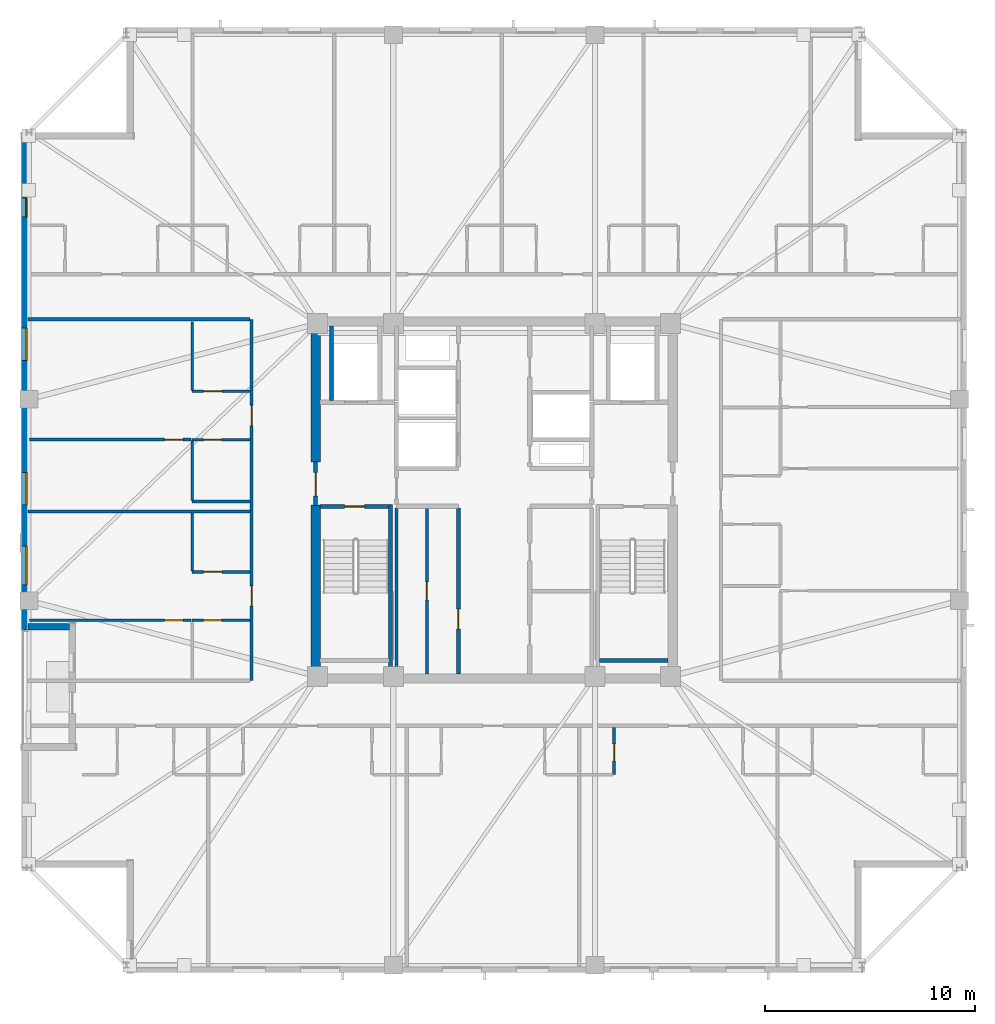
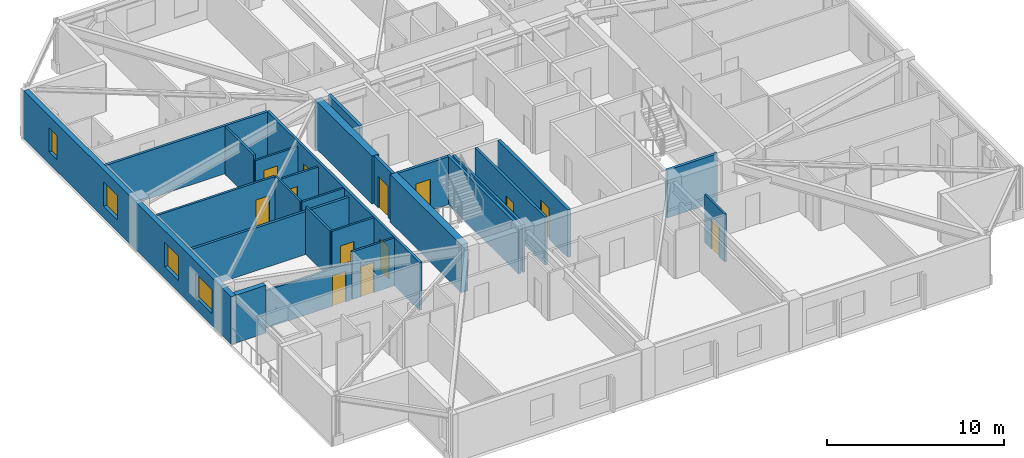
# One storey, part 8 of 17: 26 walls, 13 doors, 4 windows, 17 openings.
"""IFC4 building model written with IfcOpenShell, lengths in metres."""

from ifc_helpers import new_model, si_unit, direction, frame, frame_2d, origin, place, context, subcontext, project, spatial, rectangle, extrude, material, layer, layer_set, type_object, element, fill, save


model = new_model("IFC4")

# Units and contexts
model_context = context("Model", 3, precision=1e-05, world=origin(), true_north=direction((0.0, 1.0)))
body_context = subcontext(model_context, "Body", "Model", "MODEL_VIEW")
ifc_project = project(units=[si_unit("LENGTHUNIT", "METRE"), si_unit("AREAUNIT", "SQUARE_METRE"), si_unit("VOLUMEUNIT", "CUBIC_METRE"), si_unit("PLANEANGLEUNIT", "RADIAN"), si_unit("MASSUNIT", "GRAM", prefix="KILO")], contexts=[model_context])

# Site, building, storey
site_placement = place(None, origin())
site = spatial("IfcSite", under=ifc_project, at=site_placement, CompositionType="ELEMENT")
building_placement = place(site_placement, origin())
building = spatial("IfcBuilding", under=site, at=building_placement, Name="Cairnveth Concourse Tower", CompositionType="ELEMENT")
storey_placement = place(building_placement, frame((0.0, 0.0, 251.5)))
storey = spatial("IfcBuildingStorey", under=building, at=storey_placement, Name="L69", CompositionType="ELEMENT", Elevation=251.5)

# Wall
ifc_material_1 = material(Name="Gypsum Plasterboard Partition", Category="gypsum")
ifc_layer_1 = layer(ifc_material_1, 0.159912109375)
ifc_layer_set_1 = layer_set([ifc_layer_1], Name="Gypsum Plasterboard Partition")
wall_type_1 = type_object("IfcWallType", Name="ACOUSTIC PARTY WALL 180", PredefinedType="PARTITIONING", material=ifc_layer_set_1)
wall_1_placement = place(storey_placement, frame((47.35009765625, 30.7099609375, 0.0), z_axis=(0.0, 0.0, 1.0), x_axis=(0.0, 1.0, 0.0)))
element("IfcWall", 1, at=wall_1_placement, inside=storey, type_object=wall_type_1, Name="Interior Wall IW-L69-025", PredefinedType="PARTITIONING", context=body_context, shape_type="SweptSolid", body=[
    extrude(rectangle(XDim=7.905029296875, YDim=0.159912109375, at=frame_2d((3.95263671875, 0.0))), origin(), (0.0, 0.0, 1.0), 3.2900390625),
])

# Wall, opening, door
wall_2_placement = place(storey_placement, frame((48.800048828125, 30.7099609375, 0.0), z_axis=(0.0, 0.0, 1.0), x_axis=(0.0, 1.0, 0.0)))
wall_2 = element("IfcWall", 2, at=wall_2_placement, inside=storey, type_object=wall_type_1, Name="Interior Wall IW-L69-026", PredefinedType="PARTITIONING", context=body_context, shape_type="SweptSolid", body=[
    extrude(rectangle(XDim=7.905029296875, YDim=0.159912109375, at=frame_2d((3.95263671875, 0.0))), origin(), (0.0, 0.0, 1.0), 3.2900390625),
])
opening_1_placement = place(wall_2_placement, frame((3.5400390625, 0.0, 0.0)))
opening_1 = element("IfcOpeningElement", 3, at=opening_1_placement, cuts=wall_2, Name="Opening ID19", PredefinedType="OPENING", context=body_context, shape_type="SweptSolid", body=[
    extrude(rectangle(XDim=0.85009765625, YDim=2.1201171875, at=frame_2d((0.425048828125, 1.06005859375))), frame((0.0, 0.08984375, 0.0), z_axis=(0.0, -1.0, 0.0), x_axis=(1.0, 0.0, 0.0)), (0.0, 0.0, 1.0), 0.179931640625),
])
ifc_material_2 = material(Name="Steel Grade 350", Category="steel")
door_type_1 = type_object("IfcDoorType", Name="CORE SERVICE DOOR 850X2100", OperationType="NOTDEFINED", PredefinedType="DOOR", material=ifc_material_2)
door_1_placement = place(opening_1_placement, origin())
door_1 = element("IfcDoor", 4, at=door_1_placement, inside=storey, type_object=door_type_1, Name="Inner Store Door L69", OperationType="SINGLE_SWING_RIGHT", OverallHeight=2.1201171875, OverallWidth=0.85009765625, PredefinedType="DOOR", context=body_context, shape_type="SweptSolid", body=[
    extrude(rectangle(XDim=0.85009765625, YDim=2.1201171875, at=frame_2d((0.425048828125, 1.06005859375))), frame((0.0, 0.02490234375, 0.0), z_axis=(0.0, -1.0, 0.0), x_axis=(1.0, 0.0, 0.0)), (0.0, 0.0, 1.0), 0.050048828125),
])
fill(opening_1, door_1)

# Wall, openings, doors
wall_3_placement = place(storey_placement, frame((40.449951171875, 30.39990234375, 0.0), z_axis=(0.0, 0.0, 1.0), x_axis=(0.0, 1.0, 0.0)))
wall_3 = element("IfcWall", 5, at=wall_3_placement, inside=storey, type_object=wall_type_1, Name="Interior Wall IW-L69-037", PredefinedType="PARTITIONING", context=body_context, shape_type="SweptSolid", body=[
    extrude(rectangle(XDim=17.2001953125, YDim=0.159912109375, at=frame_2d((8.60009765625, 0.0))), origin(), (0.0, 0.0, 1.0), 3.2900390625),
])
opening_2_placement = place(wall_3_placement, frame((3.544921875, 0.0, 0.0)))
opening_2 = element("IfcOpeningElement", 6, at=opening_2_placement, cuts=wall_3, Name="Opening ID10", PredefinedType="OPENING", context=body_context, shape_type="SweptSolid", body=[
    extrude(rectangle(XDim=0.9599609375, YDim=2.179931640625, at=frame_2d((0.47998046875, 1.08984375))), frame((0.0, 0.08984375, 0.0), z_axis=(0.0, -1.0, 0.0), x_axis=(1.0, 0.0, 0.0)), (0.0, 0.0, 1.0), 0.179931640625),
])
opening_3_placement = place(wall_3_placement, frame((12.14501953125, 0.0, 0.0)))
opening_3 = element("IfcOpeningElement", 7, at=opening_3_placement, cuts=wall_3, Name="Opening ID10", PredefinedType="OPENING", context=body_context, shape_type="SweptSolid", body=[
    extrude(rectangle(XDim=0.9599609375, YDim=2.179931640625, at=frame_2d((0.47998046875, 1.08984375))), frame((0.0, 0.08984375, 0.0), z_axis=(0.0, -1.0, 0.0), x_axis=(1.0, 0.0, 0.0)), (0.0, 0.0, 1.0), 0.179931640625),
])
ifc_material_3 = material(Name="Solid Core Hardwood Timber Leaf", Category="wood")
door_type_2 = type_object("IfcDoorType", Name="FLAT ENTRANCE DOOR 960X2150", OperationType="NOTDEFINED", PredefinedType="DOOR", material=ifc_material_3)
door_2_placement = place(opening_2_placement, origin())
door_2 = element("IfcDoor", 8, at=door_2_placement, inside=storey, type_object=door_type_2, Name="Apartment L69W1 Entrance Door", OperationType="SINGLE_SWING_RIGHT", OverallHeight=2.179931640625, OverallWidth=0.9599609375, PredefinedType="DOOR", context=body_context, shape_type="SweptSolid", body=[
    extrude(rectangle(XDim=0.9599609375, YDim=2.179931640625, at=frame_2d((0.47998046875, 1.08984375))), frame((0.0, 0.02490234375, 0.0), z_axis=(0.0, -1.0, 0.0), x_axis=(1.0, 0.0, 0.0)), (0.0, 0.0, 1.0), 0.050048828125),
])
fill(opening_2, door_2)
door_3_placement = place(opening_3_placement, origin())
door_3 = element("IfcDoor", 9, at=door_3_placement, inside=storey, type_object=door_type_2, Name="Apartment L69W2 Entrance Door", OperationType="SINGLE_SWING_RIGHT", OverallHeight=2.179931640625, OverallWidth=0.9599609375, PredefinedType="DOOR", context=body_context, shape_type="SweptSolid", body=[
    extrude(rectangle(XDim=0.9599609375, YDim=2.179931640625, at=frame_2d((0.47998046875, 1.08984375))), frame((0.0, 0.02490234375, 0.0), z_axis=(0.0, -1.0, 0.0), x_axis=(1.0, 0.0, 0.0)), (0.0, 0.0, 1.0), 0.050048828125),
])
fill(opening_3, door_3)

# Walls
wall_4_placement = place(storey_placement, frame((29.804931640625, 47.60009765625, 0.0), z_axis=(0.0, 0.0, 1.0), x_axis=(1.0, 0.0, 0.0)))
element("IfcWall", 10, at=wall_4_placement, inside=storey, type_object=wall_type_1, Name="Interior Wall IW-L69-040", PredefinedType="PARTITIONING", context=body_context, shape_type="SweptSolid", body=[
    extrude(rectangle(XDim=10.580078125, YDim=0.159912109375, at=frame_2d((5.2900390625, 0.0))), origin(), (0.0, 0.0, 1.0), 3.2900390625),
])
wall_5_placement = place(storey_placement, frame((29.804931640625, 38.449951171875, 0.0), z_axis=(0.0, 0.0, 1.0), x_axis=(1.0, 0.0, 0.0)))
element("IfcWall", 11, at=wall_5_placement, inside=storey, type_object=wall_type_1, Name="Interior Wall IW-L69-096", PredefinedType="PARTITIONING", context=body_context, shape_type="SweptSolid", body=[
    extrude(rectangle(XDim=10.565185546875, YDim=0.159912109375, at=frame_2d((5.28271484375, 0.0))), origin(), (0.0, 0.0, 1.0), 2.9580078125),
])
ifc_material_4 = material(Name="Concrete N65 (65 MPa)", Category="concrete")
ifc_layer_2 = layer(ifc_material_4, 0.449951171875)
ifc_layer_set_2 = layer_set([ifc_layer_2], Name="Concrete N65 (65 MPa)")
wall_type_2 = type_object("IfcWallType", Name="CORE SHEAR WALL 450", PredefinedType="SHEAR", material=ifc_layer_set_2)
wall_6_placement = place(storey_placement, frame((43.5, 30.715087890625, 0.0), z_axis=(0.0, 0.0, 1.0), x_axis=(0.0, 1.0, 0.0)))
element("IfcWall", 12, at=wall_6_placement, inside=storey, type_object=wall_type_2, Name="Core West Shear Wall S L69", PredefinedType="SHEAR", context=body_context, shape_type="SweptSolid", body=[
    extrude(rectangle(XDim=8.034912109375, YDim=0.449951171875, at=frame_2d((4.017578125, 0.0))), origin(), (0.0, 0.0, 1.0), 3.2900390625),
])
wall_7_placement = place(storey_placement, frame((43.5, 40.800048828125, 0.0), z_axis=(0.0, 0.0, 1.0), x_axis=(0.0, 1.0, 0.0)))
element("IfcWall", 13, at=wall_7_placement, inside=storey, type_object=wall_type_2, Name="Core West Shear Wall N L69", PredefinedType="SHEAR", context=body_context, shape_type="SweptSolid", body=[
    extrude(rectangle(XDim=6.48486328125, YDim=0.449951171875, at=frame_2d((3.242431640625, 0.0))), origin(), (0.0, 0.0, 1.0), 3.2900390625),
])

# Wall, opening, door
ifc_material_5 = material(Name="Concrete N50 (50 MPa)", Category="concrete")
ifc_layer_3 = layer(ifc_material_5, 0.179931640625)
ifc_layer_set_3 = layer_set([ifc_layer_3], Name="Concrete N50 (50 MPa)")
wall_type_3 = type_object("IfcWallType", Name="FIRE SHAFT WALL 180", PredefinedType="SOLIDWALL", material=ifc_layer_set_3)
wall_8_placement = place(storey_placement, frame((43.715087890625, 38.68994140625, 0.0), z_axis=(0.0, 0.0, 1.0), x_axis=(1.0, 0.0, 0.0)))
wall_8 = element("IfcWall", 14, at=wall_8_placement, inside=storey, type_object=wall_type_3, Name="Stair ST-1 Shaft Wall NEAR L69", PredefinedType="SOLIDWALL", context=body_context, shape_type="SweptSolid", body=[
    extrude(rectangle(XDim=3.280029296875, YDim=0.179931640625, at=frame_2d((1.64013671875, 0.0))), origin(), (0.0, 0.0, 1.0), 3.2900390625),
])
opening_4_placement = place(wall_8_placement, frame((1.1650390625, 0.0, 0.0)))
opening_4 = element("IfcOpeningElement", 15, at=opening_4_placement, cuts=wall_8, Name="Opening ID12", PredefinedType="OPENING", context=body_context, shape_type="SweptSolid", body=[
    extrude(rectangle(XDim=0.949951171875, YDim=2.14990234375, at=frame_2d((0.47509765625, 1.074951171875))), frame((0.0, 0.099853515625, 0.0), z_axis=(0.0, -1.0, 0.0), x_axis=(1.0, 0.0, 0.0)), (0.0, 0.0, 1.0), 0.199951171875),
])
door_type_3 = type_object("IfcDoorType", Name="FIRE STAIR DOOR 950X2150", OperationType="NOTDEFINED", PredefinedType="DOOR", material=ifc_material_2)
door_4_placement = place(opening_4_placement, origin())
door_4 = element("IfcDoor", 16, at=door_4_placement, inside=storey, type_object=door_type_3, Name="Stair ST-1 Fire Door L69", OperationType="SINGLE_SWING_LEFT", OverallHeight=2.14990234375, OverallWidth=0.949951171875, PredefinedType="DOOR", context=body_context, shape_type="SweptSolid", body=[
    extrude(rectangle(XDim=0.949951171875, YDim=2.14990234375, at=frame_2d((0.47509765625, 1.074951171875))), frame((0.0, 0.02490234375, 0.0), z_axis=(0.0, -1.0, 0.0), x_axis=(1.0, 0.0, 0.0)), (0.0, 0.0, 1.0), 0.050048828125),
])
fill(opening_4, door_4)

# Walls
wall_9_placement = place(storey_placement, frame((47.070068359375, 38.780029296875, 0.0), z_axis=(0.0, 0.0, 1.0), x_axis=(0.0, -1.0, 0.0)))
element("IfcWall", 17, at=wall_9_placement, inside=storey, type_object=wall_type_3, Name="Stair ST-1 Shaft Wall RGHT L69", PredefinedType="SOLIDWALL", context=body_context, shape_type="SweptSolid", body=[
    extrude(rectangle(XDim=8.067138671875, YDim=0.179931640625, at=frame_2d((4.03369140625, 0.0))), origin(), (0.0, 0.0, 1.0), 3.2900390625),
])
wall_10_placement = place(storey_placement, frame((57.0048828125, 31.360107421875, 0.0), z_axis=(0.0, 0.0, 1.0), x_axis=(1.0, 0.0, 0.0)))
element("IfcWall", 18, at=wall_10_placement, inside=storey, type_object=wall_type_3, Name="Stair ST-2 Shaft Wall FAR L69", PredefinedType="SOLIDWALL", context=body_context, shape_type="SweptSolid", body=[
    extrude(rectangle(XDim=3.280029296875, YDim=0.179931640625, at=frame_2d((1.64013671875, 0.0))), origin(), (0.0, 0.0, 1.0), 3.2900390625),
])

# Wall, opening, door
ifc_layer_4 = layer(ifc_material_5, 0.199951171875)
ifc_layer_set_4 = layer_set([ifc_layer_4], Name="Concrete N50 (50 MPa)")
wall_type_4 = type_object("IfcWallType", Name="FIRE SHAFT WALL 200", PredefinedType="SOLIDWALL", material=ifc_layer_set_4)
wall_11_placement = place(storey_placement, frame((50.300048828125, 30.7099609375, 0.0), z_axis=(0.0, 0.0, 1.0), x_axis=(0.0, 1.0, 0.0)))
wall_11 = element("IfcWall", 19, at=wall_11_placement, inside=storey, type_object=wall_type_4, Name="Interior Wall IW-L69-011", PredefinedType="SOLIDWALL", context=body_context, shape_type="SweptSolid", body=[
    extrude(rectangle(XDim=7.905029296875, YDim=0.199951171875, at=frame_2d((3.95263671875, 0.0))), origin(), (0.0, 0.0, 1.0), 3.2900390625),
])
opening_5_placement = place(wall_11_placement, frame((2.139892578125, 0.0, 0.0)))
opening_5 = element("IfcOpeningElement", 20, at=opening_5_placement, cuts=wall_11, Name="Opening ID25", PredefinedType="OPENING", context=body_context, shape_type="SweptSolid", body=[
    extrude(rectangle(XDim=0.949951171875, YDim=2.1201171875, at=frame_2d((0.47509765625, 1.06005859375))), frame((0.0, 0.10986328125, 0.0), z_axis=(0.0, -1.0, 0.0), x_axis=(1.0, 0.0, 0.0)), (0.0, 0.0, 1.0), 0.219970703125),
])
door_type_4 = type_object("IfcDoorType", Name="CORE ACCESSIBLE FIRE DOOR 950X2120", OperationType="NOTDEFINED", PredefinedType="DOOR", material=ifc_material_2)
door_5_placement = place(opening_5_placement, origin())
door_5 = element("IfcDoor", 21, at=door_5_placement, inside=storey, type_object=door_type_4, Name="Accessible WC Suite Door L69", OperationType="SINGLE_SWING_LEFT", OverallHeight=2.1201171875, OverallWidth=0.949951171875, PredefinedType="DOOR", context=body_context, shape_type="SweptSolid", body=[
    extrude(rectangle(XDim=0.949951171875, YDim=2.1201171875, at=frame_2d((0.47509765625, 1.06005859375))), frame((0.0, 0.02490234375, 0.0), z_axis=(0.0, -1.0, 0.0), x_axis=(1.0, 0.0, 0.0)), (0.0, 0.0, 1.0), 0.050048828125),
])
fill(opening_5, door_5)

wall_12_placement = place(storey_placement, frame((43.5, 38.75, 0.0), z_axis=(0.0, 0.0, 1.0), x_axis=(0.0, 1.0, 0.0)))
wall_12 = element("IfcWall", 22, at=wall_12_placement, inside=storey, type_object=wall_type_4, Name="Interior Wall IW-L69-015", PredefinedType="SOLIDWALL", context=body_context, shape_type="SweptSolid", body=[
    extrude(rectangle(XDim=2.050048828125, YDim=0.199951171875, at=frame_2d((1.02490234375, 0.0))), origin(), (0.0, 0.0, 1.0), 3.2900390625),
])
opening_6_placement = place(wall_12_placement, frame((0.449951171875, 0.0, 0.0)))
opening_6 = element("IfcOpeningElement", 23, at=opening_6_placement, cuts=wall_12, Name="Opening ID06", PredefinedType="OPENING", context=body_context, shape_type="SweptSolid", body=[
    extrude(rectangle(XDim=1.10009765625, YDim=2.14990234375, at=frame_2d((0.550048828125, 1.074951171875))), frame((0.0, 0.10986328125, 0.0), z_axis=(0.0, -1.0, 0.0), x_axis=(1.0, 0.0, 0.0)), (0.0, 0.0, 1.0), 0.219970703125),
])
door_type_5 = type_object("IfcDoorType", Name="FIRE CORRIDOR DOOR 1100X2150", OperationType="NOTDEFINED", PredefinedType="DOOR", material=ifc_material_2)
door_6_placement = place(opening_6_placement, origin())
door_6 = element("IfcDoor", 24, at=door_6_placement, inside=storey, type_object=door_type_5, Name="West Wing to FF Lobby Door L69", OperationType="SINGLE_SWING_LEFT", OverallHeight=2.14990234375, OverallWidth=1.10009765625, PredefinedType="DOOR", context=body_context, shape_type="SweptSolid", body=[
    extrude(rectangle(XDim=1.10009765625, YDim=2.14990234375, at=frame_2d((0.550048828125, 1.074951171875))), frame((0.0, 0.02490234375, 0.0), z_axis=(0.0, -1.0, 0.0), x_axis=(1.0, 0.0, 0.0)), (0.0, 0.0, 1.0), 0.050048828125),
])
fill(opening_6, door_6)

# Wall
wall_13_placement = place(storey_placement, frame((44.25, 43.735107421875, 0.0), z_axis=(0.0, 0.0, 1.0), x_axis=(0.0, 1.0, 0.0)))
element("IfcWall", 25, at=wall_13_placement, inside=storey, type_object=wall_type_4, Name="Interior Wall IW-L69-019", PredefinedType="SOLIDWALL", context=body_context, shape_type="SweptSolid", body=[
    extrude(rectangle(XDim=3.554931640625, YDim=0.199951171875, at=frame_2d((1.77734375, 0.0))), origin(), (0.0, 0.0, 1.0), 3.2900390625),
])

# Wall, opening, door
ifc_layer_5 = layer(ifc_material_1, 0.139892578125)
ifc_layer_set_5 = layer_set([ifc_layer_5], Name="Gypsum Plasterboard Partition")
wall_type_5 = type_object("IfcWallType", Name="GYPSUM STUD PARTITION 140", PredefinedType="PARTITIONING", material=ifc_layer_set_5)
wall_14_placement = place(storey_placement, frame((29.8798828125, 33.27490234375, 0.0), z_axis=(0.0, 0.0, 1.0), x_axis=(1.0, 0.0, 0.0)))
wall_14 = element("IfcWall", 26, at=wall_14_placement, inside=storey, type_object=wall_type_5, Name="Interior Wall IW-L69-101", PredefinedType="PARTITIONING", context=body_context, shape_type="SweptSolid", body=[
    extrude(rectangle(XDim=7.690185546875, YDim=0.139892578125, at=frame_2d((3.84521484375, 0.0))), origin(), (0.0, 0.0, 1.0), 2.572998046875),
])
opening_7_placement = place(wall_14_placement, frame((6.429931640625, 0.0, 0.0)))
opening_7 = element("IfcOpeningElement", 27, at=opening_7_placement, cuts=wall_14, Name="Opening ID18", PredefinedType="OPENING", context=body_context, shape_type="SweptSolid", body=[
    extrude(rectangle(XDim=0.8798828125, YDim=2.10009765625, at=frame_2d((0.43994140625, 1.050048828125))), frame((0.0, 0.079833984375, 0.0), z_axis=(0.0, -1.0, 0.0), x_axis=(1.0, 0.0, 0.0)), (0.0, 0.0, 1.0), 0.159912109375),
])
door_type_6 = type_object("IfcDoorType", Name="INTERIOR SINGLE DOOR 880X2100", OperationType="NOTDEFINED", PredefinedType="DOOR", material=ifc_material_3)
door_7_placement = place(opening_7_placement, origin())
door_7 = element("IfcDoor", 28, at=door_7_placement, inside=storey, type_object=door_type_6, Name="L69W1 Master Bedroom Door", OperationType="SINGLE_SWING_LEFT", OverallHeight=2.10009765625, OverallWidth=0.8798828125, PredefinedType="DOOR", context=body_context, shape_type="SweptSolid", body=[
    extrude(rectangle(XDim=0.8798828125, YDim=2.10009765625, at=frame_2d((0.43994140625, 1.050048828125))), frame((0.0, 0.02490234375, 0.0), z_axis=(0.0, -1.0, 0.0), x_axis=(1.0, 0.0, 0.0)), (0.0, 0.0, 1.0), 0.050048828125),
])
fill(opening_7, door_7)

wall_15_placement = place(storey_placement, frame((29.8798828125, 41.875, 0.0), z_axis=(0.0, 0.0, 1.0), x_axis=(1.0, 0.0, 0.0)))
wall_15 = element("IfcWall", 29, at=wall_15_placement, inside=storey, type_object=wall_type_5, Name="Interior Wall IW-L69-107", PredefinedType="PARTITIONING", context=body_context, shape_type="SweptSolid", body=[
    extrude(rectangle(XDim=7.690185546875, YDim=0.139892578125, at=frame_2d((3.84521484375, 0.0))), origin(), (0.0, 0.0, 1.0), 3.2900390625),
])
opening_8_placement = place(wall_15_placement, frame((6.429931640625, 0.0, 0.0)))
opening_8 = element("IfcOpeningElement", 30, at=opening_8_placement, cuts=wall_15, Name="Opening ID18", PredefinedType="OPENING", context=body_context, shape_type="SweptSolid", body=[
    extrude(rectangle(XDim=0.8798828125, YDim=2.10009765625, at=frame_2d((0.43994140625, 1.050048828125))), frame((0.0, 0.079833984375, 0.0), z_axis=(0.0, -1.0, 0.0), x_axis=(1.0, 0.0, 0.0)), (0.0, 0.0, 1.0), 0.159912109375),
])
door_8_placement = place(opening_8_placement, origin())
door_8 = element("IfcDoor", 31, at=door_8_placement, inside=storey, type_object=door_type_6, Name="L69W2 Master Bedroom Door", OperationType="SINGLE_SWING_LEFT", OverallHeight=2.10009765625, OverallWidth=0.8798828125, PredefinedType="DOOR", context=body_context, shape_type="SweptSolid", body=[
    extrude(rectangle(XDim=0.8798828125, YDim=2.10009765625, at=frame_2d((0.43994140625, 1.050048828125))), frame((0.0, 0.02490234375, 0.0), z_axis=(0.0, -1.0, 0.0), x_axis=(1.0, 0.0, 0.0)), (0.0, 0.0, 1.0), 0.050048828125),
])
fill(opening_8, door_8)

ifc_layer_6 = layer(ifc_material_1, 0.1298828125)
ifc_layer_set_6 = layer_set([ifc_layer_6], Name="Gypsum Plasterboard Partition")
wall_type_6 = type_object("IfcWallType", Name="WET AREA PARTITION 140", PredefinedType="PLUMBINGWALL", material=ifc_layer_set_6)
wall_16_placement = place(storey_placement, frame((57.70849609375, 25.922607421875, 0.0), z_axis=(0.0, 0.0, 1.0), x_axis=(0.0, 1.0, 0.0)))
wall_16 = element("IfcWall", 32, at=wall_16_placement, inside=storey, type_object=wall_type_6, Name="Interior Wall IW-L69-058", PredefinedType="PLUMBINGWALL", context=body_context, shape_type="SweptSolid", body=[
    extrude(rectangle(XDim=2.25, YDim=0.1298828125, at=frame_2d((1.125, 0.0))), origin(), (0.0, 0.0, 1.0), 3.2900390625),
])
opening_9_placement = place(wall_16_placement, frame((0.64990234375, 0.0, 0.0)))
opening_9 = element("IfcOpeningElement", 33, at=opening_9_placement, cuts=wall_16, Name="Opening ID22", PredefinedType="OPENING", context=body_context, shape_type="SweptSolid", body=[
    extrude(rectangle(XDim=0.820068359375, YDim=2.10009765625, at=frame_2d((0.41015625, 1.050048828125))), frame((0.0, 0.074951171875, 0.0), z_axis=(0.0, -1.0, 0.0), x_axis=(1.0, 0.0, 0.0)), (0.0, 0.0, 1.0), 0.14990234375),
])
door_type_7 = type_object("IfcDoorType", Name="INTERIOR WC DOOR 820X2100", OperationType="NOTDEFINED", PredefinedType="DOOR", material=ifc_material_3)
door_9_placement = place(opening_9_placement, origin())
door_9 = element("IfcDoor", 34, at=door_9_placement, inside=storey, type_object=door_type_7, Name="L69STS4 Bathroom Door", OperationType="SINGLE_SWING_LEFT", OverallHeight=2.10009765625, OverallWidth=0.820068359375, PredefinedType="DOOR", context=body_context, shape_type="SweptSolid", body=[
    extrude(rectangle(XDim=0.820068359375, YDim=2.10009765625, at=frame_2d((0.41015625, 1.050048828125))), frame((0.0, 0.02490234375, 0.0), z_axis=(0.0, -1.0, 0.0), x_axis=(1.0, 0.0, 0.0)), (0.0, 0.0, 1.0), 0.050048828125),
])
fill(opening_9, door_9)

wall_17_placement = place(storey_placement, frame((37.6201171875, 33.27490234375, 0.0), z_axis=(0.0, 0.0, 1.0), x_axis=(1.0, 0.0, 0.0)))
wall_17 = element("IfcWall", 35, at=wall_17_placement, inside=storey, type_object=wall_type_6, Name="Interior Wall IW-L69-097", PredefinedType="PLUMBINGWALL", context=body_context, shape_type="SweptSolid", body=[
    extrude(rectangle(XDim=2.75, YDim=0.1298828125, at=frame_2d((1.375, 0.0))), origin(), (0.0, 0.0, 1.0), 3.2900390625),
])
opening_10_placement = place(wall_17_placement, frame((0.550048828125, 0.0, 0.0)))
opening_10 = element("IfcOpeningElement", 36, at=opening_10_placement, cuts=wall_17, Name="Opening ID21", PredefinedType="OPENING", context=body_context, shape_type="SweptSolid", body=[
    extrude(rectangle(XDim=0.85009765625, YDim=2.080078125, at=frame_2d((0.425048828125, 1.0400390625))), frame((0.0, 0.074951171875, 0.0), z_axis=(0.0, -1.0, 0.0), x_axis=(1.0, 0.0, 0.0)), (0.0, 0.0, 1.0), 0.14990234375),
])
door_type_8 = type_object("IfcDoorType", Name="INTERIOR WC DOOR 850X2100", OperationType="NOTDEFINED", PredefinedType="DOOR", material=ifc_material_3)
door_10_placement = place(opening_10_placement, origin())
door_10 = element("IfcDoor", 37, at=door_10_placement, inside=storey, type_object=door_type_8, Name="L69W1 Bathroom Door", OperationType="SINGLE_SWING_LEFT", OverallHeight=2.080078125, OverallWidth=0.85009765625, PredefinedType="DOOR", context=body_context, shape_type="SweptSolid", body=[
    extrude(rectangle(XDim=0.85009765625, YDim=2.080078125, at=frame_2d((0.425048828125, 1.0400390625))), frame((0.0, 0.02490234375, 0.0), z_axis=(0.0, -1.0, 0.0), x_axis=(1.0, 0.0, 0.0)), (0.0, 0.0, 1.0), 0.050048828125),
])
fill(opening_10, door_10)

wall_18_placement = place(storey_placement, frame((37.6201171875, 35.574951171875, 0.0), z_axis=(0.0, 0.0, 1.0), x_axis=(1.0, 0.0, 0.0)))
wall_18 = element("IfcWall", 38, at=wall_18_placement, inside=storey, type_object=wall_type_6, Name="Interior Wall IW-L69-099", PredefinedType="PLUMBINGWALL", context=body_context, shape_type="SweptSolid", body=[
    extrude(rectangle(XDim=2.75, YDim=0.1298828125, at=frame_2d((1.375, 0.0))), origin(), (0.0, 0.0, 1.0), 3.2900390625),
])
opening_11_placement = place(wall_18_placement, frame((0.550048828125, 0.0, 0.0)))
opening_11 = element("IfcOpeningElement", 39, at=opening_11_placement, cuts=wall_18, Name="Opening ID18", PredefinedType="OPENING", context=body_context, shape_type="SweptSolid", body=[
    extrude(rectangle(XDim=0.8798828125, YDim=2.10009765625, at=frame_2d((0.43994140625, 1.050048828125))), frame((0.0, 0.074951171875, 0.0), z_axis=(0.0, -1.0, 0.0), x_axis=(1.0, 0.0, 0.0)), (0.0, 0.0, 1.0), 0.14990234375),
])
door_11_placement = place(opening_11_placement, origin())
door_11 = element("IfcDoor", 40, at=door_11_placement, inside=storey, type_object=door_type_6, Name="L69W1 Kitchen Door", OperationType="SINGLE_SWING_RIGHT", OverallHeight=2.10009765625, OverallWidth=0.8798828125, PredefinedType="DOOR", context=body_context, shape_type="SweptSolid", body=[
    extrude(rectangle(XDim=0.8798828125, YDim=2.10009765625, at=frame_2d((0.43994140625, 1.050048828125))), frame((0.0, 0.02490234375, 0.0), z_axis=(0.0, -1.0, 0.0), x_axis=(1.0, 0.0, 0.0)), (0.0, 0.0, 1.0), 0.050048828125),
])
fill(opening_11, door_11)

# Walls
wall_19_placement = place(storey_placement, frame((37.6201171875, 35.625, 0.0), z_axis=(0.0, 0.0, 1.0), x_axis=(0.0, 1.0, 0.0)))
element("IfcWall", 41, at=wall_19_placement, inside=storey, type_object=wall_type_6, Name="Interior Wall IW-L69-100", PredefinedType="PLUMBINGWALL", context=body_context, shape_type="SweptSolid", body=[
    extrude(rectangle(XDim=2.760009765625, YDim=0.1298828125, at=frame_2d((1.3798828125, 0.0))), origin(), (0.0, 0.0, 1.0), 3.2900390625),
])
wall_20_placement = place(storey_placement, frame((37.6201171875, 38.925048828125, 0.0), z_axis=(0.0, 0.0, 1.0), x_axis=(1.0, 0.0, 0.0)))
element("IfcWall", 42, at=wall_20_placement, inside=storey, type_object=wall_type_6, Name="Interior Wall IW-L69-102", PredefinedType="PLUMBINGWALL", context=body_context, shape_type="SweptSolid", body=[
    extrude(rectangle(XDim=2.75, YDim=0.1298828125, at=frame_2d((1.375, 0.0))), origin(), (0.0, 0.0, 1.0), 3.2900390625),
])

# Wall, opening, door
wall_21_placement = place(storey_placement, frame((37.6201171875, 41.875, 0.0), z_axis=(0.0, 0.0, 1.0), x_axis=(1.0, 0.0, 0.0)))
wall_21 = element("IfcWall", 43, at=wall_21_placement, inside=storey, type_object=wall_type_6, Name="Interior Wall IW-L69-103", PredefinedType="PLUMBINGWALL", context=body_context, shape_type="SweptSolid", body=[
    extrude(rectangle(XDim=2.75, YDim=0.1298828125, at=frame_2d((1.375, 0.0))), origin(), (0.0, 0.0, 1.0), 2.9580078125),
])
opening_12_placement = place(wall_21_placement, frame((0.550048828125, 0.0, 0.0)))
opening_12 = element("IfcOpeningElement", 44, at=opening_12_placement, cuts=wall_21, Name="Opening ID21", PredefinedType="OPENING", context=body_context, shape_type="SweptSolid", body=[
    extrude(rectangle(XDim=0.85009765625, YDim=2.080078125, at=frame_2d((0.425048828125, 1.0400390625))), frame((0.0, 0.074951171875, 0.0), z_axis=(0.0, -1.0, 0.0), x_axis=(1.0, 0.0, 0.0)), (0.0, 0.0, 1.0), 0.14990234375),
])
door_12_placement = place(opening_12_placement, origin())
door_12 = element("IfcDoor", 45, at=door_12_placement, inside=storey, type_object=door_type_8, Name="L69W2 Bathroom Door", OperationType="SINGLE_SWING_LEFT", OverallHeight=2.080078125, OverallWidth=0.85009765625, PredefinedType="DOOR", context=body_context, shape_type="SweptSolid", body=[
    extrude(rectangle(XDim=0.85009765625, YDim=2.080078125, at=frame_2d((0.425048828125, 1.0400390625))), frame((0.0, 0.02490234375, 0.0), z_axis=(0.0, -1.0, 0.0), x_axis=(1.0, 0.0, 0.0)), (0.0, 0.0, 1.0), 0.050048828125),
])
fill(opening_12, door_12)

# Wall
wall_22_placement = place(storey_placement, frame((37.6201171875, 38.97509765625, 0.0), z_axis=(0.0, 0.0, 1.0), x_axis=(0.0, 1.0, 0.0)))
element("IfcWall", 46, at=wall_22_placement, inside=storey, type_object=wall_type_6, Name="Interior Wall IW-L69-104", PredefinedType="PLUMBINGWALL", context=body_context, shape_type="SweptSolid", body=[
    extrude(rectangle(XDim=2.849853515625, YDim=0.1298828125, at=frame_2d((1.4248046875, 0.0))), origin(), (0.0, 0.0, 1.0), 3.2900390625),
])

# Wall, opening, door
wall_23_placement = place(storey_placement, frame((37.6201171875, 44.175048828125, 0.0), z_axis=(0.0, 0.0, 1.0), x_axis=(1.0, 0.0, 0.0)))
wall_23 = element("IfcWall", 47, at=wall_23_placement, inside=storey, type_object=wall_type_6, Name="Interior Wall IW-L69-105", PredefinedType="PLUMBINGWALL", context=body_context, shape_type="SweptSolid", body=[
    extrude(rectangle(XDim=2.75, YDim=0.1298828125, at=frame_2d((1.375, 0.0))), origin(), (0.0, 0.0, 1.0), 2.9580078125),
])
opening_13_placement = place(wall_23_placement, frame((0.550048828125, 0.0, 0.0)))
opening_13 = element("IfcOpeningElement", 48, at=opening_13_placement, cuts=wall_23, Name="Opening ID18", PredefinedType="OPENING", context=body_context, shape_type="SweptSolid", body=[
    extrude(rectangle(XDim=0.8798828125, YDim=2.10009765625, at=frame_2d((0.43994140625, 1.050048828125))), frame((0.0, 0.074951171875, 0.0), z_axis=(0.0, -1.0, 0.0), x_axis=(1.0, 0.0, 0.0)), (0.0, 0.0, 1.0), 0.14990234375),
])
door_13_placement = place(opening_13_placement, origin())
door_13 = element("IfcDoor", 49, at=door_13_placement, inside=storey, type_object=door_type_6, Name="L69W2 Kitchen Door", OperationType="SINGLE_SWING_RIGHT", OverallHeight=2.10009765625, OverallWidth=0.8798828125, PredefinedType="DOOR", context=body_context, shape_type="SweptSolid", body=[
    extrude(rectangle(XDim=0.8798828125, YDim=2.10009765625, at=frame_2d((0.43994140625, 1.050048828125))), frame((0.0, 0.02490234375, 0.0), z_axis=(0.0, -1.0, 0.0), x_axis=(1.0, 0.0, 0.0)), (0.0, 0.0, 1.0), 0.050048828125),
])
fill(opening_13, door_13)

# Wall
wall_24_placement = place(storey_placement, frame((37.6201171875, 44.22509765625, 0.0), z_axis=(0.0, 0.0, 1.0), x_axis=(0.0, 1.0, 0.0)))
element("IfcWall", 50, at=wall_24_placement, inside=storey, type_object=wall_type_6, Name="Interior Wall IW-L69-106", PredefinedType="PLUMBINGWALL", context=body_context, shape_type="SweptSolid", body=[
    extrude(rectangle(XDim=3.239990234375, YDim=0.1298828125, at=frame_2d((1.6201171875, 0.0))), origin(), (0.0, 0.0, 1.0), 3.2900390625),
])

# Wall, openings, windows
ifc_material_6 = material(Name="Melbourne Buff Fired Clay Brick Masonry", Category="masonry")
ifc_layer_7 = layer(ifc_material_6, 0.320068359375)
ifc_layer_set_7 = layer_set([ifc_layer_7], Name="Melbourne Buff Fired Clay Brick Masonry")
wall_type_7 = type_object("IfcWallType", Name="ZONE 3 BRICK PIER SPANDREL WALL 320", PredefinedType="SOLIDWALL", material=ifc_layer_set_7)
wall_25_placement = place(storey_placement, frame((29.659912109375, 32.800048828125, 0.0), z_axis=(0.0, 0.0, 1.0), x_axis=(0.0, 1.0, 0.0)))
wall_25 = element("IfcWall", 51, at=wall_25_placement, inside=storey, type_object=wall_type_7, Name="Exterior Wall EW-L69-S00", PredefinedType="SOLIDWALL", context=body_context, shape_type="SweptSolid", body=[
    extrude(rectangle(XDim=23.40185546875, YDim=0.320068359375, at=frame_2d((11.700927734375, 0.0))), origin(), (0.0, 0.0, 1.0), 3.2900390625),
])
opening_14_placement = place(wall_25_placement, frame((2.1552734375, 0.0, 0.800048828125)))
opening_14 = element("IfcOpeningElement", 52, at=opening_14_placement, cuts=wall_25, Name="Opening W08", PredefinedType="OPENING", context=body_context, shape_type="SweptSolid", body=[
    extrude(rectangle(XDim=1.85009765625, YDim=1.677978515625, at=frame_2d((0.925048828125, 0.8388671875))), frame((0.0, 0.169921875, 0.0), z_axis=(0.0, -1.0, 0.0), x_axis=(1.0, 0.0, 0.0)), (0.0, 0.0, 1.0), 0.340087890625),
])
opening_15_placement = place(wall_25_placement, frame((5.965576171875, 0.0, 0.800048828125)))
opening_15 = element("IfcOpeningElement", 53, at=opening_15_placement, cuts=wall_25, Name="Opening W07", PredefinedType="OPENING", context=body_context, shape_type="SweptSolid", body=[
    extrude(rectangle(XDim=1.550048828125, YDim=1.677978515625, at=frame_2d((0.77490234375, 0.8388671875))), frame((0.0, 0.169921875, 0.0), z_axis=(0.0, -1.0, 0.0), x_axis=(1.0, 0.0, 0.0)), (0.0, 0.0, 1.0), 0.340087890625),
])
opening_16_placement = place(wall_25_placement, frame((12.83642578125, 0.0, 0.800048828125)))
opening_16 = element("IfcOpeningElement", 54, at=opening_16_placement, cuts=wall_25, Name="Opening W07", PredefinedType="OPENING", context=body_context, shape_type="SweptSolid", body=[
    extrude(rectangle(XDim=1.550048828125, YDim=1.677978515625, at=frame_2d((0.77490234375, 0.8388671875))), frame((0.0, 0.169921875, 0.0), z_axis=(0.0, -1.0, 0.0), x_axis=(1.0, 0.0, 0.0)), (0.0, 0.0, 1.0), 0.340087890625),
])
opening_17_placement = place(wall_25_placement, frame((19.669921875, 0.0, 0.800048828125)))
opening_17 = element("IfcOpeningElement", 55, at=opening_17_placement, cuts=wall_25, Name="Opening W13", PredefinedType="OPENING", context=body_context, shape_type="SweptSolid", body=[
    extrude(rectangle(XDim=0.89990234375, YDim=1.677978515625, at=frame_2d((0.449951171875, 0.8388671875))), frame((0.0, 0.169921875, 0.0), z_axis=(0.0, -1.0, 0.0), x_axis=(1.0, 0.0, 0.0)), (0.0, 0.0, 1.0), 0.340087890625),
])
ifc_material_7 = material(Name="Double Glazed Low-E Clear Glass", Category="glass")
window_type_1 = type_object("IfcWindowType", Name="DEEP-SET APARTMENT LIVING WINDOW 1850X1850", PartitioningType="DOUBLE_PANEL_VERTICAL", PredefinedType="WINDOW", material=ifc_material_7)
window_1_placement = place(opening_14_placement, origin())
window_1 = element("IfcWindow", 56, at=window_1_placement, inside=storey, type_object=window_type_1, Name="Gothic Lancet Window L69-0-1", OverallHeight=1.677978515625, OverallWidth=1.85009765625, PartitioningType="SINGLE_PANEL", PredefinedType="WINDOW", context=body_context, shape_type="SweptSolid", body=[
    extrude(rectangle(XDim=1.85009765625, YDim=1.677978515625, at=frame_2d((0.925048828125, 0.8388671875))), frame((0.0, -0.050048828125, 0.0), z_axis=(0.0, -1.0, 0.0), x_axis=(1.0, 0.0, 0.0)), (0.0, 0.0, 1.0), 0.06005859375),
])
fill(opening_14, window_1)
window_type_2 = type_object("IfcWindowType", Name="DEEP-SET APARTMENT WINDOW 1550X1800", PartitioningType="DOUBLE_PANEL_VERTICAL", PredefinedType="WINDOW", material=ifc_material_7)
window_2_placement = place(opening_15_placement, origin())
window_2 = element("IfcWindow", 57, at=window_2_placement, inside=storey, type_object=window_type_2, Name="Gothic Lancet Window L69-0-2", OverallHeight=1.677978515625, OverallWidth=1.550048828125, PartitioningType="SINGLE_PANEL", PredefinedType="WINDOW", context=body_context, shape_type="SweptSolid", body=[
    extrude(rectangle(XDim=1.550048828125, YDim=1.677978515625, at=frame_2d((0.77490234375, 0.8388671875))), frame((0.0, -0.050048828125, 0.0), z_axis=(0.0, -1.0, 0.0), x_axis=(1.0, 0.0, 0.0)), (0.0, 0.0, 1.0), 0.06005859375),
])
fill(opening_15, window_2)
window_3_placement = place(opening_16_placement, origin())
window_3 = element("IfcWindow", 58, at=window_3_placement, inside=storey, type_object=window_type_2, Name="Gothic Lancet Window L69-0-4", OverallHeight=1.677978515625, OverallWidth=1.550048828125, PartitioningType="SINGLE_PANEL", PredefinedType="WINDOW", context=body_context, shape_type="SweptSolid", body=[
    extrude(rectangle(XDim=1.550048828125, YDim=1.677978515625, at=frame_2d((0.77490234375, 0.8388671875))), frame((0.0, -0.050048828125, 0.0), z_axis=(0.0, -1.0, 0.0), x_axis=(1.0, 0.0, 0.0)), (0.0, 0.0, 1.0), 0.06005859375),
])
fill(opening_16, window_3)
window_type_3 = type_object("IfcWindowType", Name="DEEP-SET BEDROOM LANCET WINDOW 900X1750", PartitioningType="DOUBLE_PANEL_VERTICAL", PredefinedType="WINDOW", material=ifc_material_7)
window_4_placement = place(opening_17_placement, origin())
window_4 = element("IfcWindow", 59, at=window_4_placement, inside=storey, type_object=window_type_3, Name="Dwelling Lancet Window L69-DW3", OverallHeight=1.677978515625, OverallWidth=0.89990234375, PartitioningType="SINGLE_PANEL", PredefinedType="WINDOW", context=body_context, shape_type="SweptSolid", body=[
    extrude(rectangle(XDim=0.89990234375, YDim=1.677978515625, at=frame_2d((0.449951171875, 0.8388671875))), frame((0.0, -0.0400390625, 0.0), z_axis=(0.0, -1.0, 0.0), x_axis=(1.0, 0.0, 0.0)), (0.0, 0.0, 1.0), 0.06005859375),
])
fill(opening_17, window_4)

# Wall
wall_26_placement = place(storey_placement, frame((31.77197265625, 32.9599609375, 0.0), z_axis=(0.0, 0.0, 1.0), x_axis=(-1.0, 0.0, 0.0)))
element("IfcWall", 60, at=wall_26_placement, inside=storey, type_object=wall_type_7, Name="Exterior Wall EW-L69-S15", PredefinedType="SOLIDWALL", context=body_context, shape_type="SweptSolid", body=[
    extrude(rectangle(XDim=1.973876953125, YDim=0.320068359375, at=frame_2d((0.98681640625, 0.0))), origin(), (0.0, 0.0, 1.0), 3.2900390625),
])

save(model, "model.ifc")
